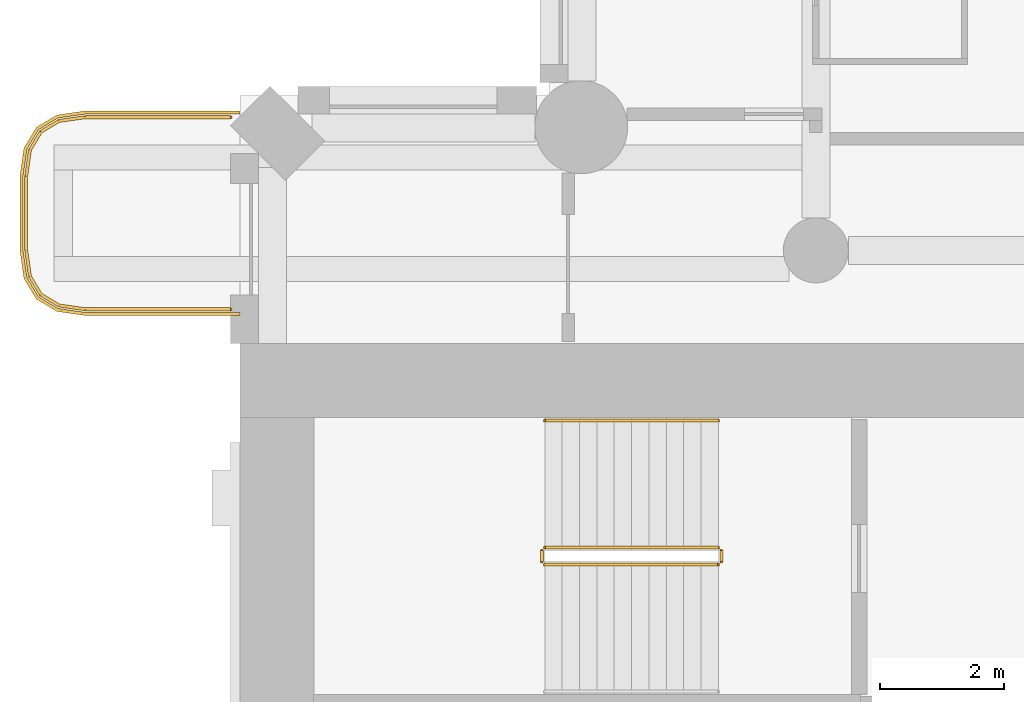
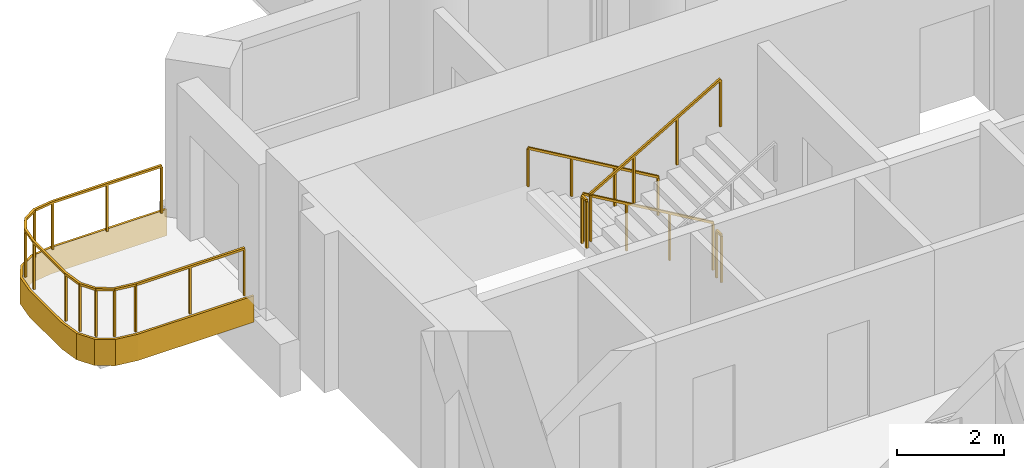
# One storey, part 18 of 21: 6 railings, 1 covering.
"""IFC4 building model written with IfcOpenShell, lengths in metres."""

from ifc_helpers import new_model, si_unit, direction, frame, origin, origin_2d, place, context, subcontext, project, spatial, polyline, rectangle, outline, extrude, material, layer, layer_set, type_object, element, save


model = new_model("IFC4")

# Units and contexts
model_context = context("Model", 3, precision=1e-05, world=origin(), true_north=direction((0.0, 1.0)))
body_context = subcontext(model_context, "Body", "Model", "MODEL_VIEW")
ifc_project = project(units=[si_unit("LENGTHUNIT", "METRE"), si_unit("AREAUNIT", "SQUARE_METRE"), si_unit("VOLUMEUNIT", "CUBIC_METRE"), si_unit("PLANEANGLEUNIT", "RADIAN"), si_unit("MASSUNIT", "GRAM", prefix="KILO")], contexts=[model_context])

# Site, building, storey
site_placement = place(None, origin())
site = spatial("IfcSite", under=ifc_project, at=site_placement, CompositionType="ELEMENT")
building_placement = place(site_placement, origin())
building = spatial("IfcBuilding", under=site, at=building_placement, Name="Cypress Arch Tower", CompositionType="ELEMENT")
storey_placement = place(building_placement, frame((0.0, 0.0, 127.5)))
storey = spatial("IfcBuildingStorey", under=building, at=storey_placement, Name="L27", CompositionType="ELEMENT", Elevation=127.5)

# Covering
ifc_material_1 = material(Name="White powder-coated aluminium fascia", Category="aluminium")
ifc_layer = layer(ifc_material_1, 0.050048828125)
ifc_layer_set = layer_set([ifc_layer], Name="Balcony fascia BF50")
covering_type = type_object("IfcCoveringType", Name="Balcony fascia BF50", PredefinedType="CLADDING", material=ifc_layer_set)
covering_placement = place(storey_placement, frame((0.0, 0.0, -0.60009765625)))
element("IfcCovering", 1, at=covering_placement, inside=storey, type_object=covering_type, Name="Balcony fascia L27-A00W0", PredefinedType="CLADDING", context=body_context, shape_type="SweptSolid", body=[
    extrude(outline(polyline([(-32.503662109375, 16.449951171875), (-32.95458984375, 16.514404296875), (-33.286376953125, 16.713623046875), (-33.485595703125, 17.04541015625), (-33.550048828125, 17.496337890625), (-33.550048828125, 18.70361328125), (-33.485595703125, 19.154541015625), (-33.286376953125, 19.486328125), (-32.95458984375, 19.685546875), (-32.503662109375, 19.75), (-30.0009765625, 19.75), (-30.0009765625, 19.699951171875), (-32.5, 19.699951171875), (-32.9375, 19.637451171875), (-33.25, 19.449951171875), (-33.4375, 19.137451171875), (-33.5, 18.699951171875), (-33.5, 17.5), (-33.4375, 17.0625), (-33.25, 16.75), (-32.9375, 16.5625), (-32.5, 16.5), (-30.0009765625, 16.5), (-30.0009765625, 16.449951171875), (-32.503662109375, 16.449951171875)])), origin(), (0.0, 0.0, 1.0), 0.60009765625),
])

# Railings
ifc_material_2 = material(Name="Powder-coated steel posts and rods, 100 mm clear between rods", Category="steel")
railing_type_1 = type_object("IfcRailingType", Name="Balcony guard GR1100", PredefinedType="GUARDRAIL", material=ifc_material_2)
railing_1_placement = place(storey_placement, frame((-30.14990234375, 16.550048828125, 0.0)))
element("IfcRailing", 2, at=railing_1_placement, inside=storey, type_object=railing_type_1, Name="Balcony guard L27-A00W0", PredefinedType="GUARDRAIL", context=body_context, shape_type="SweptSolid", body=[
    extrude(rectangle(XDim=0.050048828125, YDim=0.050048828125, at=origin_2d()), frame((0.0, 0.0, 1.0751953125), z_axis=(-1.0, 0.0, 0.0), x_axis=(0.0, -1.0, 0.0)), (0.0, 0.0, 1.0), 2.346435546875),
    extrude(rectangle(XDim=0.050048828125, YDim=0.050048828125, at=origin_2d()), frame((-2.346435546875, 0.0, 1.0751953125), z_axis=(-0.989960888959, 0.141341566184, 0.0), x_axis=(-0.141341566184, -0.989960888959, 0.0)), (0.0, 0.0, 1.0), 0.428466796875),
    extrude(rectangle(XDim=0.050048828125, YDim=0.050048828125, at=origin_2d()), frame((-2.7705078125, 0.060546875, 1.0751953125), z_axis=(-0.857681904839, 0.514180659021, 0.0), x_axis=(-0.514180659021, -0.857681904839, 0.0)), (0.0, 0.0, 1.0), 0.341796875),
    extrude(rectangle(XDim=0.050048828125, YDim=0.050048828125, at=origin_2d()), frame((-3.063720703125, 0.236328125, 1.0751953125), z_axis=(-0.514180659021, 0.857681904839, 0.0), x_axis=(-0.857681904839, -0.514180659021, 0.0)), (0.0, 0.0, 1.0), 0.341796875),
    extrude(rectangle(XDim=0.050048828125, YDim=0.050048828125, at=origin_2d()), frame((-3.239501953125, 0.529541015625, 1.0751953125), z_axis=(-0.141341566184, 0.989960888959, 0.0), x_axis=(-0.989960888959, -0.141341566184, 0.0)), (0.0, 0.0, 1.0), 0.428466796875),
    extrude(rectangle(XDim=0.050048828125, YDim=0.050048828125, at=origin_2d()), frame((-3.300048828125, 0.95361328125, 1.0751953125), z_axis=(0.0, 1.0, 0.0), x_axis=(-1.0, 0.0, 0.0)), (0.0, 0.0, 1.0), 1.19287109375),
    extrude(rectangle(XDim=0.050048828125, YDim=0.050048828125, at=origin_2d()), frame((-3.300048828125, 2.146484375, 1.0751953125), z_axis=(0.141421356237, 0.989949493661, 0.0), x_axis=(-0.989949493661, 0.141421356237, 0.0)), (0.0, 0.0, 1.0), 0.42822265625),
    extrude(rectangle(XDim=0.050048828125, YDim=0.050048828125, at=origin_2d()), frame((-3.239501953125, 2.5703125, 1.0751953125), z_axis=(0.514180659021, 0.857681904839, 0.0), x_axis=(-0.857681904839, 0.514180659021, 0.0)), (0.0, 0.0, 1.0), 0.341796875),
    extrude(rectangle(XDim=0.050048828125, YDim=0.050048828125, at=origin_2d()), frame((-3.063720703125, 2.863525390625, 1.0751953125), z_axis=(0.857681904839, 0.514180659021, 0.0), x_axis=(-0.514180659021, 0.857681904839, 0.0)), (0.0, 0.0, 1.0), 0.341796875),
    extrude(rectangle(XDim=0.050048828125, YDim=0.050048828125, at=origin_2d()), frame((-2.7705078125, 3.039306640625, 1.0751953125), z_axis=(0.989960888959, 0.141341566184, 0.0), x_axis=(-0.141341566184, 0.989960888959, 0.0)), (0.0, 0.0, 1.0), 0.428466796875),
    extrude(rectangle(XDim=0.050048828125, YDim=0.050048828125, at=origin_2d()), frame((-2.346435546875, 3.099853515625, 1.0751953125), z_axis=(1.0, 0.0, 0.0), x_axis=(0.0, 1.0, 0.0)), (0.0, 0.0, 1.0), 2.346435546875),
    extrude(rectangle(XDim=0.0400390625, YDim=0.0400390625, at=origin_2d()), origin(), (0.0, 0.0, 1.0), 1.050048828125),
    extrude(rectangle(XDim=0.0400390625, YDim=0.0400390625, at=origin_2d()), frame((-1.17333984375, 0.0, 0.0)), (0.0, 0.0, 1.0), 1.050048828125),
    extrude(rectangle(XDim=0.0400390625, YDim=0.0400390625, at=origin_2d()), frame((-2.346435546875, 0.0, 0.0)), (0.0, 0.0, 1.0), 1.050048828125),
    extrude(rectangle(XDim=0.0400390625, YDim=0.0400390625, at=origin_2d()), frame((-2.7705078125, 0.060546875, 0.0)), (0.0, 0.0, 1.0), 1.050048828125),
    extrude(rectangle(XDim=0.0400390625, YDim=0.0400390625, at=origin_2d()), frame((-3.063720703125, 0.236328125, 0.0)), (0.0, 0.0, 1.0), 1.050048828125),
    extrude(rectangle(XDim=0.0400390625, YDim=0.0400390625, at=origin_2d()), frame((-3.239501953125, 0.529541015625, 0.0)), (0.0, 0.0, 1.0), 1.050048828125),
    extrude(rectangle(XDim=0.0400390625, YDim=0.0400390625, at=origin_2d()), frame((-3.300048828125, 0.95361328125, 0.0)), (0.0, 0.0, 1.0), 1.050048828125),
    extrude(rectangle(XDim=0.0400390625, YDim=0.0400390625, at=origin_2d()), frame((-3.300048828125, 2.146484375, 0.0)), (0.0, 0.0, 1.0), 1.050048828125),
    extrude(rectangle(XDim=0.0400390625, YDim=0.0400390625, at=origin_2d()), frame((-3.239501953125, 2.5703125, 0.0)), (0.0, 0.0, 1.0), 1.050048828125),
    extrude(rectangle(XDim=0.0400390625, YDim=0.0400390625, at=origin_2d()), frame((-3.063720703125, 2.863525390625, 0.0)), (0.0, 0.0, 1.0), 1.050048828125),
    extrude(rectangle(XDim=0.0400390625, YDim=0.0400390625, at=origin_2d()), frame((-2.7705078125, 3.039306640625, 0.0)), (0.0, 0.0, 1.0), 1.050048828125),
    extrude(rectangle(XDim=0.0400390625, YDim=0.0400390625, at=origin_2d()), frame((-2.346435546875, 3.099853515625, 0.0)), (0.0, 0.0, 1.0), 1.050048828125),
    extrude(rectangle(XDim=0.0400390625, YDim=0.0400390625, at=origin_2d()), frame((-1.17333984375, 3.099853515625, 0.0)), (0.0, 0.0, 1.0), 1.050048828125),
    extrude(rectangle(XDim=0.0400390625, YDim=0.0400390625, at=origin_2d()), frame((0.0, 3.099853515625, 0.0)), (0.0, 0.0, 1.0), 1.050048828125),
])
ifc_material_3 = material(Name="Black powder-coated steel square bar 48 mm", Category="steel")
railing_type_2 = type_object("IfcRailingType", Name="Stair handrail HR1", PredefinedType="HANDRAIL", material=ifc_material_3)
railing_2_placement = place(storey_placement, frame((-22.27490234375, 14.75, 0.16357421875)))
element("IfcRailing", 3, at=railing_2_placement, inside=storey, type_object=railing_type_2, Name="L27 B stair handrail 1", PredefinedType="HANDRAIL", context=body_context, shape_type="SweptSolid", body=[
    extrude(rectangle(XDim=0.048095703125, YDim=0.048095703125, at=origin_2d()), frame((0.0, 0.0, 0.8759765625), z_axis=(-0.863360870873, 0.0, 0.504586966384), x_axis=(0.0, -1.0, 0.0)), (0.0, 0.0, 1.0), 3.2431640625),
    extrude(rectangle(XDim=0.0419921875, YDim=0.0419921875, at=origin_2d()), origin(), (0.0, 0.0, 1.0), 0.851806640625),
    extrude(rectangle(XDim=0.0419921875, YDim=0.0419921875, at=origin_2d()), frame((-0.933349609375, 0.0, 0.54541015625)), (0.0, 0.0, 1.0), 0.851806640625),
    extrude(rectangle(XDim=0.0419921875, YDim=0.0419921875, at=origin_2d()), frame((-1.86669921875, 0.0, 1.091064453125)), (0.0, 0.0, 1.0), 0.851806640625),
    extrude(rectangle(XDim=0.0419921875, YDim=0.0419921875, at=origin_2d()), frame((-2.800048828125, 0.0, 1.636474609375)), (0.0, 0.0, 1.0), 0.851806640625),
])
ifc_material_4 = material(Name="Black powder-coated steel balusters", Category="steel")
railing_type_3 = type_object("IfcRailingType", Name="Stair well guard G1", PredefinedType="GUARDRAIL", material=ifc_material_4)
railing_3_placement = place(storey_placement, frame((-22.27490234375, 12.699951171875, 0.16357421875)))
element("IfcRailing", 4, at=railing_3_placement, inside=storey, type_object=railing_type_3, Name="L27 B stair guard 1", PredefinedType="GUARDRAIL", context=body_context, shape_type="SweptSolid", body=[
    extrude(rectangle(XDim=0.048095703125, YDim=0.048095703125, at=origin_2d()), frame((0.0, 0.0, 1.076171875), z_axis=(-0.863360870873, 0.0, 0.504586966384), x_axis=(0.0, -1.0, 0.0)), (0.0, 0.0, 1.0), 3.2431640625),
    extrude(rectangle(XDim=0.0419921875, YDim=0.0419921875, at=origin_2d()), origin(), (0.0, 0.0, 1.0), 1.052001953125),
    extrude(rectangle(XDim=0.0419921875, YDim=0.0419921875, at=origin_2d()), frame((-0.933349609375, 0.0, 0.54541015625)), (0.0, 0.0, 1.0), 1.052001953125),
    extrude(rectangle(XDim=0.0419921875, YDim=0.0419921875, at=origin_2d()), frame((-1.86669921875, 0.0, 1.091064453125)), (0.0, 0.0, 1.0), 1.052001953125),
    extrude(rectangle(XDim=0.0419921875, YDim=0.0419921875, at=origin_2d()), frame((-2.800048828125, 0.0, 1.636474609375)), (0.0, 0.0, 1.0), 1.052001953125),
])
railing_4_placement = place(storey_placement, frame((-25.125, 12.64990234375, 1.800048828125)))
element("IfcRailing", 5, at=railing_4_placement, inside=storey, type_object=railing_type_3, Name="L27 B stair guard 2", PredefinedType="GUARDRAIL", context=body_context, shape_type="SweptSolid", body=[
    extrude(rectangle(XDim=0.048095703125, YDim=0.048095703125, at=origin_2d()), frame((0.0, 0.0, 1.076171875), z_axis=(0.0, -1.0, 0.0), x_axis=(1.0, 0.0, 0.0)), (0.0, 0.0, 1.0), 0.1748046875),
    extrude(rectangle(XDim=0.0419921875, YDim=0.0419921875, at=origin_2d()), origin(), (0.0, 0.0, 1.0), 1.052001953125),
    extrude(rectangle(XDim=0.0419921875, YDim=0.0419921875, at=origin_2d()), frame((0.0, -0.1748046875, 0.0)), (0.0, 0.0, 1.0), 1.052001953125),
])
railing_5_placement = place(storey_placement, frame((-25.074951171875, 12.425048828125, 1.963623046875)))
element("IfcRailing", 6, at=railing_5_placement, inside=storey, type_object=railing_type_3, Name="L27 B stair guard 3", PredefinedType="GUARDRAIL", context=body_context, shape_type="SweptSolid", body=[
    extrude(rectangle(XDim=0.048095703125, YDim=0.048095703125, at=origin_2d()), frame((0.0, 0.0, 1.076171875), z_axis=(0.863360870873, 0.0, 0.504586966384), x_axis=(0.0, 1.0, 0.0)), (0.0, 0.0, 1.0), 3.2431640625),
    extrude(rectangle(XDim=0.0419921875, YDim=0.0419921875, at=origin_2d()), origin(), (0.0, 0.0, 1.0), 1.052001953125),
    extrude(rectangle(XDim=0.0419921875, YDim=0.0419921875, at=origin_2d()), frame((0.933349609375, 0.0, 0.54541015625)), (0.0, 0.0, 1.0), 1.052001953125),
    extrude(rectangle(XDim=0.0419921875, YDim=0.0419921875, at=origin_2d()), frame((1.86669921875, 0.0, 1.091064453125)), (0.0, 0.0, 1.0), 1.052001953125),
    extrude(rectangle(XDim=0.0419921875, YDim=0.0419921875, at=origin_2d()), frame((2.800048828125, 0.0, 1.636474609375)), (0.0, 0.0, 1.0), 1.052001953125),
])
railing_6_placement = place(storey_placement, frame((-22.22509765625, 12.64990234375, 0.0)))
element("IfcRailing", 7, at=railing_6_placement, inside=storey, type_object=railing_type_3, Name="L27 B stair guard 4", PredefinedType="GUARDRAIL", context=body_context, shape_type="SweptSolid", body=[
    extrude(rectangle(XDim=0.048095703125, YDim=0.048095703125, at=origin_2d()), frame((0.0, 0.0, 1.076171875), z_axis=(0.0, -1.0, 0.0), x_axis=(1.0, 0.0, 0.0)), (0.0, 0.0, 1.0), 0.1748046875),
    extrude(rectangle(XDim=0.0419921875, YDim=0.0419921875, at=origin_2d()), origin(), (0.0, 0.0, 1.0), 1.052001953125),
    extrude(rectangle(XDim=0.0419921875, YDim=0.0419921875, at=origin_2d()), frame((0.0, -0.1748046875, 0.0)), (0.0, 0.0, 1.0), 1.052001953125),
])

save(model, "model.ifc")
